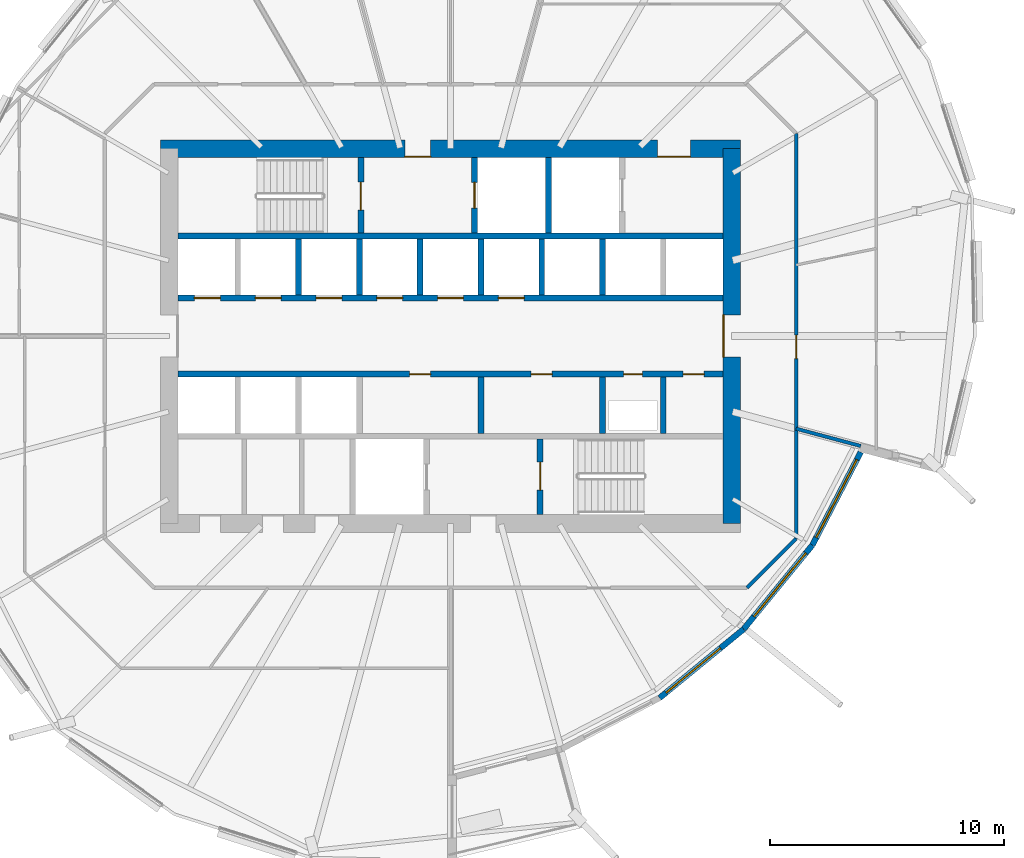
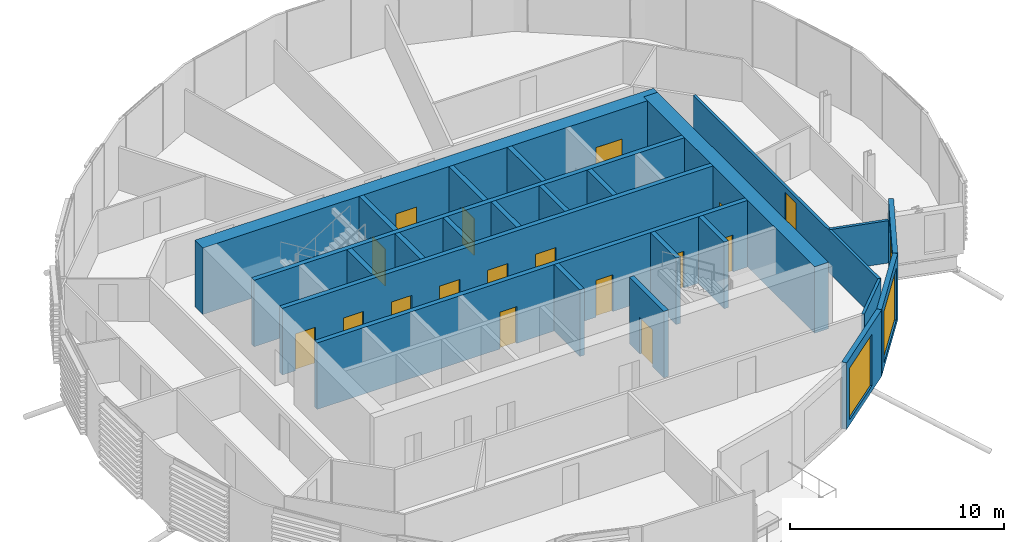
# One storey, part 26 of 43: 24 walls, 17 doors, 3 windows, 20 openings.
"""IFC4 building model written with IfcOpenShell, lengths in metres."""

from ifc_helpers import new_model, si_unit, direction, frame, frame_2d, origin, place, context, subcontext, project, spatial, rectangle, extrude, material, layer, layer_set, type_object, element, fill, save


model = new_model("IFC4")

# Units and contexts
model_context = context("Model", 3, precision=1e-05, world=origin(), true_north=direction((0.0, 1.0)))
body_context = subcontext(model_context, "Body", "Model", "MODEL_VIEW")
ifc_project = project(units=[si_unit("LENGTHUNIT", "METRE"), si_unit("AREAUNIT", "SQUARE_METRE"), si_unit("VOLUMEUNIT", "CUBIC_METRE"), si_unit("PLANEANGLEUNIT", "RADIAN"), si_unit("MASSUNIT", "GRAM", prefix="KILO")], contexts=[model_context])

# Site, building, storey
site_placement = place(None, origin())
site = spatial("IfcSite", under=ifc_project, at=site_placement, CompositionType="ELEMENT")
building_placement = place(site_placement, origin())
building = spatial("IfcBuilding", under=site, at=building_placement, Name="Rimbun Link Towers", CompositionType="ELEMENT")
storey_placement = place(building_placement, frame((0.0, 0.0, 81.60009765625)))
storey = spatial("IfcBuildingStorey", under=building, at=storey_placement, Name="L19", CompositionType="ELEMENT", Elevation=81.60009765625)

# Wall, opening, window
ifc_material_1 = material(Name="Dark enamelled glass spandrel on insulated aluminium backpan", Category="aluminium")
ifc_layer_1 = layer(ifc_material_1, 0.25)
ifc_layer_set_1 = layer_set([ifc_layer_1], Name="CS dark enamelled spandrel wall 250")
wall_type_1 = type_object("IfcWallType", Name="CS dark enamelled spandrel wall 250", PredefinedType="STANDARD", material=ifc_layer_set_1)
wall_1_placement = place(storey_placement, frame((44.259765625, -12.509765625, 0.0), z_axis=(0.0, 0.0, 1.0), x_axis=(-0.773910332823, -0.633295189268, 0.0)))
wall_1 = element("IfcWall", 1, at=wall_1_placement, inside=storey, type_object=wall_type_1, Name="Crease spandrel wall", PredefinedType="STANDARD", context=body_context, shape_type="SweptSolid", body=[
    extrude(rectangle(XDim=4.63232421875, YDim=0.25, at=frame_2d((2.316162109375, 0.0))), origin(), (0.0, 0.0, 1.0), 3.7998046875),
])
opening_1_placement = place(wall_1_placement, frame((1.277099609375, 0.0, 0.300048828125)))
opening_1 = element("IfcOpeningElement", 2, at=opening_1_placement, cuts=wall_1, Name="Opening WR30H295", PredefinedType="OPENING", context=body_context, shape_type="SweptSolid", body=[
    extrude(rectangle(XDim=3.0, YDim=2.949951171875, at=frame_2d((1.5, 1.47509765625))), frame((0.0, 0.135009765625, 0.0), z_axis=(0.0, -1.0, 0.0), x_axis=(1.0, 0.0, 0.0)), (0.0, 0.0, 1.0), 0.27001953125),
])
ifc_material_2 = material(Name="Aluminium framed fixed window, dark tinted low-e glass", Category="aluminium")
window_type_1 = type_object("IfcWindowType", Name="WR ribbon window 3000X2950", PartitioningType="SINGLE_PANEL", PredefinedType="WINDOW", material=ifc_material_2)
window_1_placement = place(opening_1_placement, origin())
window_1 = element("IfcWindow", 3, at=window_1_placement, inside=storey, type_object=window_type_1, Name="Crease ribbon window", OverallHeight=2.949951171875, OverallWidth=3.0, PartitioningType="SINGLE_PANEL", PredefinedType="WINDOW", context=body_context, shape_type="SweptSolid", body=[
    extrude(rectangle(XDim=3.0, YDim=2.949951171875, at=frame_2d((1.5, 1.47509765625))), frame((0.0, 0.030029296875, 0.0), z_axis=(0.0, -1.0, 0.0), x_axis=(1.0, 0.0, 0.0)), (0.0, 0.0, 1.0), 0.06005859375),
])
fill(opening_1, window_1)

wall_2_placement = place(storey_placement, frame((47.193359375, -8.9248046875, 0.0), z_axis=(0.0, 0.0, 1.0), x_axis=(-0.633295189268, -0.773910332823, 0.0)))
wall_2 = element("IfcWall", 4, at=wall_2_placement, inside=storey, type_object=wall_type_1, Name="Crease spandrel wall", PredefinedType="STANDARD", context=body_context, shape_type="SweptSolid", body=[
    extrude(rectangle(XDim=4.63232421875, YDim=0.25, at=frame_2d((2.316162109375, 0.0))), origin(), (0.0, 0.0, 1.0), 3.7998046875),
])
opening_2_placement = place(wall_2_placement, frame((0.434814453125, 0.0, 0.300048828125)))
opening_2 = element("IfcOpeningElement", 5, at=opening_2_placement, cuts=wall_2, Name="Opening WR35H295", PredefinedType="OPENING", context=body_context, shape_type="SweptSolid", body=[
    extrude(rectangle(XDim=3.5, YDim=2.949951171875, at=frame_2d((1.75, 1.47509765625))), frame((0.0, 0.135009765625, 0.0), z_axis=(0.0, -1.0, 0.0), x_axis=(1.0, 0.0, 0.0)), (0.0, 0.0, 1.0), 0.27001953125),
])
ifc_material_3 = material(Name="Aluminium framed fixed window, dark tinted low-e glass", Category="aluminium")
window_type_2 = type_object("IfcWindowType", Name="WR ribbon window 3500X2950", PartitioningType="SINGLE_PANEL", PredefinedType="WINDOW", material=ifc_material_3)
window_2_placement = place(opening_2_placement, origin())
window_2 = element("IfcWindow", 6, at=window_2_placement, inside=storey, type_object=window_type_2, Name="Crease ribbon window", OverallHeight=2.949951171875, OverallWidth=3.5, PartitioningType="SINGLE_PANEL", PredefinedType="WINDOW", context=body_context, shape_type="SweptSolid", body=[
    extrude(rectangle(XDim=3.5, YDim=2.949951171875, at=frame_2d((1.75, 1.47509765625))), frame((0.0, 0.030029296875, 0.0), z_axis=(0.0, -1.0, 0.0), x_axis=(1.0, 0.0, 0.0)), (0.0, 0.0, 1.0), 0.06005859375),
])
fill(opening_2, window_2)

wall_3_placement = place(storey_placement, frame((49.26171875, -4.951171875, 0.0), z_axis=(0.0, 0.0, 1.0), x_axis=(-0.461716482869, -0.887027558448, 0.0)))
wall_3 = element("IfcWall", 7, at=wall_3_placement, inside=storey, type_object=wall_type_1, Name="Crease spandrel wall", PredefinedType="STANDARD", context=body_context, shape_type="SweptSolid", body=[
    extrude(rectangle(XDim=4.479736328125, YDim=0.25, at=frame_2d((2.23974609375, 0.0))), origin(), (0.0, 0.0, 1.0), 3.7998046875),
])
opening_3_placement = place(wall_3_placement, frame((0.364990234375, 0.0, 0.300048828125)))
opening_3 = element("IfcOpeningElement", 8, at=opening_3_placement, cuts=wall_3, Name="Opening WR38H295", PredefinedType="OPENING", context=body_context, shape_type="SweptSolid", body=[
    extrude(rectangle(XDim=3.75, YDim=2.949951171875, at=frame_2d((1.875, 1.47509765625))), frame((0.0, 0.135009765625, 0.0), z_axis=(0.0, -1.0, 0.0), x_axis=(1.0, 0.0, 0.0)), (0.0, 0.0, 1.0), 0.27001953125),
])
ifc_material_4 = material(Name="Aluminium framed fixed window, dark tinted low-e glass", Category="aluminium")
window_type_3 = type_object("IfcWindowType", Name="WR ribbon window 3750X2950", PartitioningType="SINGLE_PANEL", PredefinedType="WINDOW", material=ifc_material_4)
window_3_placement = place(opening_3_placement, origin())
window_3 = element("IfcWindow", 9, at=window_3_placement, inside=storey, type_object=window_type_3, Name="Crease ribbon window", OverallHeight=2.949951171875, OverallWidth=3.75, PartitioningType="SINGLE_PANEL", PredefinedType="WINDOW", context=body_context, shape_type="SweptSolid", body=[
    extrude(rectangle(XDim=3.75, YDim=2.949951171875, at=frame_2d((1.875, 1.47509765625))), frame((0.0, 0.030029296875, 0.0), z_axis=(0.0, -1.0, 0.0), x_axis=(1.0, 0.0, 0.0)), (0.0, 0.0, 1.0), 0.06005859375),
])
fill(opening_3, window_3)

# Wall, openings, doors
ifc_material_5 = material(Name="Concrete C60/75", Category="concrete")
ifc_layer_2 = layer(ifc_material_5, 0.75)
ifc_layer_set_2 = layer_set([ifc_layer_2], Name="Core shear wall 750")
wall_type_2 = type_object("IfcWallType", Name="Core shear wall 750", PredefinedType="SHEAR", material=ifc_layer_set_2)
wall_4_placement = place(storey_placement, frame((19.375, 8.0, 0.0), z_axis=(0.0, 0.0, 1.0), x_axis=(1.0, 0.0, 0.0)))
wall_4 = element("IfcWall", 10, at=wall_4_placement, inside=storey, type_object=wall_type_2, Name="L19 T2 core wall N", PredefinedType="SHEAR", context=body_context, shape_type="SweptSolid", body=[
    extrude(rectangle(XDim=24.75, YDim=0.75, at=frame_2d((12.375, 0.0))), origin(), (0.0, 0.0, 1.0), 3.7998046875),
])
opening_4_placement = place(wall_4_placement, frame((10.425048828125, 0.0, 0.0)))
opening_4 = element("IfcOpeningElement", 11, at=opening_4_placement, cuts=wall_4, Name="Opening C2DCF01N", PredefinedType="OPENING", context=body_context, shape_type="SweptSolid", body=[
    extrude(rectangle(XDim=1.10009765625, YDim=2.10009765625, at=frame_2d((0.550048828125, 1.050048828125))), frame((0.0, 0.385009765625, 0.0), z_axis=(0.0, -1.0, 0.0), x_axis=(1.0, 0.0, 0.0)), (0.0, 0.0, 1.0), 0.77001953125),
])
opening_5_placement = place(wall_4_placement, frame((21.21240234375, 0.0, 0.0)))
opening_5 = element("IfcOpeningElement", 12, at=opening_5_placement, cuts=wall_4, Name="Opening C2DSL02N", PredefinedType="OPENING", context=body_context, shape_type="SweptSolid", body=[
    extrude(rectangle(XDim=1.39990234375, YDim=2.10009765625, at=frame_2d((0.699951171875, 1.050048828125))), frame((0.0, 0.385009765625, 0.0), z_axis=(0.0, -1.0, 0.0), x_axis=(1.0, 0.0, 0.0)), (0.0, 0.0, 1.0), 0.77001953125),
])
ifc_material_6 = material(Name="Steel fire door set", Category="steel")
door_type_1 = type_object("IfcDoorType", Name="Core fire door single", OperationType="SINGLE_SWING_LEFT", PredefinedType="DOOR", material=ifc_material_6)
door_1_placement = place(opening_4_placement, origin())
door_1 = element("IfcDoor", 13, at=door_1_placement, inside=storey, type_object=door_type_1, Name="L19 T2 firefighting lobby n door", OperationType="SINGLE_SWING_LEFT", OverallHeight=2.10009765625, OverallWidth=1.10009765625, PredefinedType="DOOR", context=body_context, shape_type="SweptSolid", body=[
    extrude(rectangle(XDim=1.10009765625, YDim=2.10009765625, at=frame_2d((0.550048828125, 1.050048828125))), frame((0.0, -0.3251953125, 0.0), z_axis=(0.0, -1.0, 0.0), x_axis=(1.0, 0.0, 0.0)), (0.0, 0.0, 1.0), 0.050048828125),
])
fill(opening_4, door_1)
ifc_material_7 = material(Name="Steel fire door set", Category="steel")
door_type_2 = type_object("IfcDoorType", Name="Service lobby door double", OperationType="DOUBLE_DOOR_SINGLE_SWING", PredefinedType="DOOR", material=ifc_material_7)
door_2_placement = place(opening_5_placement, origin())
door_2 = element("IfcDoor", 14, at=door_2_placement, inside=storey, type_object=door_type_2, Name="L19 T2 service lobby door", OperationType="DOUBLE_DOOR_SINGLE_SWING", OverallHeight=2.10009765625, OverallWidth=1.39990234375, PredefinedType="DOOR", context=body_context, shape_type="SweptSolid", body=[
    extrude(rectangle(XDim=1.39990234375, YDim=2.10009765625, at=frame_2d((0.699951171875, 1.050048828125))), frame((0.0, -0.3251953125, 0.0), z_axis=(0.0, -1.0, 0.0), x_axis=(1.0, 0.0, 0.0)), (0.0, 0.0, 1.0), 0.050048828125),
])
fill(opening_5, door_2)

# Wall, opening, door
wall_5_placement = place(storey_placement, frame((43.75, -8.0, 0.0), z_axis=(0.0, 0.0, 1.0), x_axis=(0.0, 1.0, 0.0)))
wall_5 = element("IfcWall", 15, at=wall_5_placement, inside=storey, type_object=wall_type_2, Name="L19 T2 core wall E", PredefinedType="SHEAR", context=body_context, shape_type="SweptSolid", body=[
    extrude(rectangle(XDim=16.0, YDim=0.75, at=frame_2d((8.0, 0.0))), origin(), (0.0, 0.0, 1.0), 3.7998046875),
])
opening_6_placement = place(wall_5_placement, frame((7.10009765625, 0.0, 0.0)))
opening_6 = element("IfcOpeningElement", 16, at=opening_6_placement, cuts=wall_5, Name="Opening C2DCL01E", PredefinedType="OPENING", context=body_context, shape_type="SweptSolid", body=[
    extrude(rectangle(XDim=1.800048828125, YDim=2.10009765625, at=frame_2d((0.89990234375, 1.050048828125))), frame((0.0, 0.385009765625, 0.0), z_axis=(0.0, -1.0, 0.0), x_axis=(1.0, 0.0, 0.0)), (0.0, 0.0, 1.0), 0.77001953125),
])
ifc_material_8 = material(Name="Steel fire door set", Category="steel")
door_type_3 = type_object("IfcDoorType", Name="Core lobby door double", OperationType="DOUBLE_DOOR_SINGLE_SWING", PredefinedType="DOOR", material=ifc_material_8)
door_3_placement = place(opening_6_placement, origin())
door_3 = element("IfcDoor", 17, at=door_3_placement, inside=storey, type_object=door_type_3, Name="L19 T2 lift lobby door", OperationType="DOUBLE_DOOR_SINGLE_SWING", OverallHeight=2.10009765625, OverallWidth=1.800048828125, PredefinedType="DOOR", context=body_context, shape_type="SweptSolid", body=[
    extrude(rectangle(XDim=1.800048828125, YDim=2.10009765625, at=frame_2d((0.89990234375, 1.050048828125))), frame((0.0, 0.375, 0.0), z_axis=(0.0, -1.0, 0.0), x_axis=(1.0, 0.0, 0.0)), (0.0, 0.0, 1.0), 0.050048828125),
])
fill(opening_6, door_3)

ifc_material_9 = material(Name="Plasterboard on steel stud, mineral wool", Category="steel")
ifc_layer_3 = layer(ifc_material_9, 0.14990234375)
ifc_layer_set_3 = layer_set([ifc_layer_3], Name="Corridor wall EI 30 150 mm")
wall_type_3 = type_object("IfcWallType", Name="Corridor wall EI 30 150 mm", PredefinedType="PARTITIONING", material=ifc_layer_set_3)
wall_6_placement = place(storey_placement, frame((46.5, 8.651611328125, 0.0), z_axis=(0.0, 0.0, 1.0), x_axis=(0.0, -1.0, 0.0)))
wall_6 = element("IfcWall", 18, at=wall_6_placement, inside=storey, type_object=wall_type_3, Name="Corridor wall EI 30 150 mm", PredefinedType="PARTITIONING", context=body_context, shape_type="SweptSolid", body=[
    extrude(rectangle(XDim=17.30322265625, YDim=0.14990234375, at=frame_2d((8.651611328125, 0.0))), origin(), (0.0, 0.0, 1.0), 2.419921875),
])
opening_7_placement = place(wall_6_placement, frame((8.611328125, 0.0, 0.0)))
opening_7 = element("IfcOpeningElement", 19, at=opening_7_placement, cuts=wall_6, Name="Opening D01", PredefinedType="OPENING", context=body_context, shape_type="SweptSolid", body=[
    extrude(rectangle(XDim=1.0, YDim=2.10009765625, at=frame_2d((0.5, 1.050048828125))), frame((0.0, 0.0849609375, 0.0), z_axis=(0.0, -1.0, 0.0), x_axis=(1.0, 0.0, 0.0)), (0.0, 0.0, 1.0), 0.169921875),
])
ifc_material_10 = material(Name="Fire-resisting timber door leaf", Category="wood")
door_type_4 = type_object("IfcDoorType", Name="Fire door FD30S 1000", OperationType="NOTDEFINED", PredefinedType="DOOR", material=ifc_material_10)
door_4_placement = place(opening_7_placement, origin())
door_4 = element("IfcDoor", 20, at=door_4_placement, inside=storey, type_object=door_type_4, Name="Fire door FD30S 1000 to Reception", OperationType="SINGLE_SWING_LEFT", OverallHeight=2.10009765625, OverallWidth=1.0, PredefinedType="DOOR", context=body_context, shape_type="SweptSolid", body=[
    extrude(rectangle(XDim=1.0, YDim=2.10009765625, at=frame_2d((0.5, 1.050048828125))), frame((0.0, 0.02490234375, 0.0), z_axis=(0.0, -1.0, 0.0), x_axis=(1.0, 0.0, 0.0)), (0.0, 0.0, 1.0), 0.050048828125),
])
fill(opening_7, door_4)

# Walls
wall_7_placement = place(storey_placement, frame((44.401611328125, -10.75, 0.0), z_axis=(0.0, 0.0, 1.0), x_axis=(0.707106781187, 0.707106781187, 0.0)))
element("IfcWall", 21, at=wall_7_placement, inside=storey, type_object=wall_type_3, Name="Corridor wall EI 30 150 mm", PredefinedType="PARTITIONING", context=body_context, shape_type="SweptSolid", body=[
    extrude(rectangle(XDim=2.967529296875, YDim=0.14990234375, at=frame_2d((1.48388671875, 0.0))), origin(), (0.0, 0.0, 1.0), 2.419921875),
])
ifc_material_11 = material(Name="Concrete C60/75", Category="concrete")
ifc_layer_4 = layer(ifc_material_11, 0.25)
ifc_layer_set_4 = layer_set([ifc_layer_4], Name="Shaft wall 250")
wall_type_4 = type_object("IfcWallType", Name="Shaft wall 250", PredefinedType="SHEAR", material=ifc_layer_set_4)
wall_8_placement = place(storey_placement, frame((20.125, 4.27490234375, 0.0), z_axis=(0.0, 0.0, 1.0), x_axis=(1.0, 0.0, 0.0)))
element("IfcWall", 22, at=wall_8_placement, inside=storey, type_object=wall_type_4, Name="L19 T2 core wall BN", PredefinedType="SHEAR", context=body_context, shape_type="SweptSolid", body=[
    extrude(rectangle(XDim=23.25, YDim=0.25, at=frame_2d((11.625, 0.0))), origin(), (0.0, 0.0, 1.0), 3.7998046875),
])

# Wall, openings, doors
wall_9_placement = place(storey_placement, frame((20.125, 1.625, 0.0), z_axis=(0.0, 0.0, 1.0), x_axis=(1.0, 0.0, 0.0)))
wall_9 = element("IfcWall", 23, at=wall_9_placement, inside=storey, type_object=wall_type_4, Name="L19 T2 core wall FN", PredefinedType="SHEAR", context=body_context, shape_type="SweptSolid", body=[
    extrude(rectangle(XDim=23.25, YDim=0.25, at=frame_2d((11.625, 0.0))), origin(), (0.0, 0.0, 1.0), 3.7998046875),
])
opening_8_placement = place(wall_9_placement, frame((0.697265625, 0.0, 0.0)))
opening_8 = element("IfcOpeningElement", 24, at=opening_8_placement, cuts=wall_9, Name="Opening LD-T2-LR1", PredefinedType="OPENING", context=body_context, shape_type="SweptSolid", body=[
    extrude(rectangle(XDim=1.10009765625, YDim=2.10009765625, at=frame_2d((0.550048828125, 1.050048828125))), frame((0.0, 0.135009765625, 0.0), z_axis=(0.0, -1.0, 0.0), x_axis=(1.0, 0.0, 0.0)), (0.0, 0.0, 1.0), 0.27001953125),
])
opening_9_placement = place(wall_9_placement, frame((3.291748046875, 0.0, 0.0)))
opening_9 = element("IfcOpeningElement", 25, at=opening_9_placement, cuts=wall_9, Name="Opening LD-T2-LR2", PredefinedType="OPENING", context=body_context, shape_type="SweptSolid", body=[
    extrude(rectangle(XDim=1.10009765625, YDim=2.10009765625, at=frame_2d((0.550048828125, 1.050048828125))), frame((0.0, 0.135009765625, 0.0), z_axis=(0.0, -1.0, 0.0), x_axis=(1.0, 0.0, 0.0)), (0.0, 0.0, 1.0), 0.27001953125),
])
opening_10_placement = place(wall_9_placement, frame((5.885986328125, 0.0, 0.0)))
opening_10 = element("IfcOpeningElement", 26, at=opening_10_placement, cuts=wall_9, Name="Opening LD-T2-LR3", PredefinedType="OPENING", context=body_context, shape_type="SweptSolid", body=[
    extrude(rectangle(XDim=1.10009765625, YDim=2.10009765625, at=frame_2d((0.550048828125, 1.050048828125))), frame((0.0, 0.135009765625, 0.0), z_axis=(0.0, -1.0, 0.0), x_axis=(1.0, 0.0, 0.0)), (0.0, 0.0, 1.0), 0.27001953125),
])
opening_11_placement = place(wall_9_placement, frame((8.480712890625, 0.0, 0.0)))
opening_11 = element("IfcOpeningElement", 27, at=opening_11_placement, cuts=wall_9, Name="Opening LD-T2-LR4", PredefinedType="OPENING", context=body_context, shape_type="SweptSolid", body=[
    extrude(rectangle(XDim=1.10009765625, YDim=2.10009765625, at=frame_2d((0.550048828125, 1.050048828125))), frame((0.0, 0.135009765625, 0.0), z_axis=(0.0, -1.0, 0.0), x_axis=(1.0, 0.0, 0.0)), (0.0, 0.0, 1.0), 0.27001953125),
])
opening_12_placement = place(wall_9_placement, frame((11.074951171875, 0.0, 0.0)))
opening_12 = element("IfcOpeningElement", 28, at=opening_12_placement, cuts=wall_9, Name="Opening LD-T2-LR5", PredefinedType="OPENING", context=body_context, shape_type="SweptSolid", body=[
    extrude(rectangle(XDim=1.10009765625, YDim=2.10009765625, at=frame_2d((0.550048828125, 1.050048828125))), frame((0.0, 0.135009765625, 0.0), z_axis=(0.0, -1.0, 0.0), x_axis=(1.0, 0.0, 0.0)), (0.0, 0.0, 1.0), 0.27001953125),
])
opening_13_placement = place(wall_9_placement, frame((13.66943359375, 0.0, 0.0)))
opening_13 = element("IfcOpeningElement", 29, at=opening_13_placement, cuts=wall_9, Name="Opening LD-T2-LR6", PredefinedType="OPENING", context=body_context, shape_type="SweptSolid", body=[
    extrude(rectangle(XDim=1.10009765625, YDim=2.10009765625, at=frame_2d((0.550048828125, 1.050048828125))), frame((0.0, 0.135009765625, 0.0), z_axis=(0.0, -1.0, 0.0), x_axis=(1.0, 0.0, 0.0)), (0.0, 0.0, 1.0), 0.27001953125),
])
ifc_material_12 = material(Name="Stainless steel grade 316", Category="steel")
door_type_5 = type_object("IfcDoorType", Name="Lift landing door", OperationType="DOUBLE_DOOR_SLIDING", PredefinedType="DOOR", material=ifc_material_12)
door_5_placement = place(opening_8_placement, origin())
door_5 = element("IfcDoor", 30, at=door_5_placement, inside=storey, type_object=door_type_5, Name="L19 T2 lift LR1 landing door", OperationType="DOUBLE_DOOR_SLIDING", OverallHeight=2.10009765625, OverallWidth=1.10009765625, PredefinedType="DOOR", context=body_context, shape_type="SweptSolid", body=[
    extrude(rectangle(XDim=1.10009765625, YDim=2.10009765625, at=frame_2d((0.550048828125, 1.050048828125))), frame((0.0, 0.02490234375, 0.0), z_axis=(0.0, -1.0, 0.0), x_axis=(1.0, 0.0, 0.0)), (0.0, 0.0, 1.0), 0.050048828125),
])
fill(opening_8, door_5)
door_6_placement = place(opening_9_placement, origin())
door_6 = element("IfcDoor", 31, at=door_6_placement, inside=storey, type_object=door_type_5, Name="L19 T2 lift LR2 landing door", OperationType="DOUBLE_DOOR_SLIDING", OverallHeight=2.10009765625, OverallWidth=1.10009765625, PredefinedType="DOOR", context=body_context, shape_type="SweptSolid", body=[
    extrude(rectangle(XDim=1.10009765625, YDim=2.10009765625, at=frame_2d((0.550048828125, 1.050048828125))), frame((0.0, 0.02490234375, 0.0), z_axis=(0.0, -1.0, 0.0), x_axis=(1.0, 0.0, 0.0)), (0.0, 0.0, 1.0), 0.050048828125),
])
fill(opening_9, door_6)
door_7_placement = place(opening_10_placement, origin())
door_7 = element("IfcDoor", 32, at=door_7_placement, inside=storey, type_object=door_type_5, Name="L19 T2 lift LR3 landing door", OperationType="DOUBLE_DOOR_SLIDING", OverallHeight=2.10009765625, OverallWidth=1.10009765625, PredefinedType="DOOR", context=body_context, shape_type="SweptSolid", body=[
    extrude(rectangle(XDim=1.10009765625, YDim=2.10009765625, at=frame_2d((0.550048828125, 1.050048828125))), frame((0.0, 0.02490234375, 0.0), z_axis=(0.0, -1.0, 0.0), x_axis=(1.0, 0.0, 0.0)), (0.0, 0.0, 1.0), 0.050048828125),
])
fill(opening_10, door_7)
door_8_placement = place(opening_11_placement, origin())
door_8 = element("IfcDoor", 33, at=door_8_placement, inside=storey, type_object=door_type_5, Name="L19 T2 lift LR4 landing door", OperationType="DOUBLE_DOOR_SLIDING", OverallHeight=2.10009765625, OverallWidth=1.10009765625, PredefinedType="DOOR", context=body_context, shape_type="SweptSolid", body=[
    extrude(rectangle(XDim=1.10009765625, YDim=2.10009765625, at=frame_2d((0.550048828125, 1.050048828125))), frame((0.0, 0.02490234375, 0.0), z_axis=(0.0, -1.0, 0.0), x_axis=(1.0, 0.0, 0.0)), (0.0, 0.0, 1.0), 0.050048828125),
])
fill(opening_11, door_8)
door_9_placement = place(opening_12_placement, origin())
door_9 = element("IfcDoor", 34, at=door_9_placement, inside=storey, type_object=door_type_5, Name="L19 T2 lift LR5 landing door", OperationType="DOUBLE_DOOR_SLIDING", OverallHeight=2.10009765625, OverallWidth=1.10009765625, PredefinedType="DOOR", context=body_context, shape_type="SweptSolid", body=[
    extrude(rectangle(XDim=1.10009765625, YDim=2.10009765625, at=frame_2d((0.550048828125, 1.050048828125))), frame((0.0, 0.02490234375, 0.0), z_axis=(0.0, -1.0, 0.0), x_axis=(1.0, 0.0, 0.0)), (0.0, 0.0, 1.0), 0.050048828125),
])
fill(opening_12, door_9)
door_10_placement = place(opening_13_placement, origin())
door_10 = element("IfcDoor", 35, at=door_10_placement, inside=storey, type_object=door_type_5, Name="L19 T2 lift LR6 landing door", OperationType="DOUBLE_DOOR_SLIDING", OverallHeight=2.10009765625, OverallWidth=1.10009765625, PredefinedType="DOOR", context=body_context, shape_type="SweptSolid", body=[
    extrude(rectangle(XDim=1.10009765625, YDim=2.10009765625, at=frame_2d((0.550048828125, 1.050048828125))), frame((0.0, 0.02490234375, 0.0), z_axis=(0.0, -1.0, 0.0), x_axis=(1.0, 0.0, 0.0)), (0.0, 0.0, 1.0), 0.050048828125),
])
fill(opening_13, door_10)

wall_10_placement = place(storey_placement, frame((20.125, -1.625, 0.0), z_axis=(0.0, 0.0, 1.0), x_axis=(1.0, 0.0, 0.0)))
wall_10 = element("IfcWall", 36, at=wall_10_placement, inside=storey, type_object=wall_type_4, Name="L19 T2 core wall FS", PredefinedType="SHEAR", context=body_context, shape_type="SweptSolid", body=[
    extrude(rectangle(XDim=23.25, YDim=0.25, at=frame_2d((11.625, 0.0))), origin(), (0.0, 0.0, 1.0), 3.7998046875),
])
opening_14_placement = place(wall_10_placement, frame((9.877685546875, 0.0, 0.0)))
opening_14 = element("IfcOpeningElement", 37, at=opening_14_placement, cuts=wall_10, Name="Opening C2DRS01FS", PredefinedType="OPENING", context=body_context, shape_type="SweptSolid", body=[
    extrude(rectangle(XDim=0.89990234375, YDim=2.10009765625, at=frame_2d((0.449951171875, 1.050048828125))), frame((0.0, 0.135009765625, 0.0), z_axis=(0.0, -1.0, 0.0), x_axis=(1.0, 0.0, 0.0)), (0.0, 0.0, 1.0), 0.27001953125),
])
opening_15_placement = place(wall_10_placement, frame((15.066650390625, 0.0, 0.0)))
opening_15 = element("IfcOpeningElement", 38, at=opening_15_placement, cuts=wall_10, Name="Opening C2DRS02FS", PredefinedType="OPENING", context=body_context, shape_type="SweptSolid", body=[
    extrude(rectangle(XDim=0.89990234375, YDim=2.10009765625, at=frame_2d((0.449951171875, 1.050048828125))), frame((0.0, 0.135009765625, 0.0), z_axis=(0.0, -1.0, 0.0), x_axis=(1.0, 0.0, 0.0)), (0.0, 0.0, 1.0), 0.27001953125),
])
opening_16_placement = place(wall_10_placement, frame((19.00830078125, 0.0, 0.0)))
opening_16 = element("IfcOpeningElement", 39, at=opening_16_placement, cuts=wall_10, Name="Opening C2DRA03FS", PredefinedType="OPENING", context=body_context, shape_type="SweptSolid", body=[
    extrude(rectangle(XDim=0.800048828125, YDim=2.10009765625, at=frame_2d((0.39990234375, 1.050048828125))), frame((0.0, 0.135009765625, 0.0), z_axis=(0.0, -1.0, 0.0), x_axis=(1.0, 0.0, 0.0)), (0.0, 0.0, 1.0), 0.27001953125),
])
opening_17_placement = place(wall_10_placement, frame((21.552734375, 0.0, 0.0)))
opening_17 = element("IfcOpeningElement", 40, at=opening_17_placement, cuts=wall_10, Name="Opening C2DRS04FS", PredefinedType="OPENING", context=body_context, shape_type="SweptSolid", body=[
    extrude(rectangle(XDim=0.89990234375, YDim=2.10009765625, at=frame_2d((0.449951171875, 1.050048828125))), frame((0.0, 0.135009765625, 0.0), z_axis=(0.0, -1.0, 0.0), x_axis=(1.0, 0.0, 0.0)), (0.0, 0.0, 1.0), 0.27001953125),
])
ifc_material_13 = material(Name="Steel fire door set", Category="steel")
door_type_6 = type_object("IfcDoorType", Name="Core riser door", OperationType="SINGLE_SWING_LEFT", PredefinedType="DOOR", material=ifc_material_13)
door_11_placement = place(opening_14_placement, origin())
door_11 = element("IfcDoor", 41, at=door_11_placement, inside=storey, type_object=door_type_6, Name="L19 T2 archive store door", OperationType="SINGLE_SWING_LEFT", OverallHeight=2.10009765625, OverallWidth=0.89990234375, PredefinedType="DOOR", context=body_context, shape_type="SweptSolid", body=[
    extrude(rectangle(XDim=0.89990234375, YDim=2.10009765625, at=frame_2d((0.449951171875, 1.050048828125))), frame((0.0, 0.02490234375, 0.0), z_axis=(0.0, -1.0, 0.0), x_axis=(1.0, 0.0, 0.0)), (0.0, 0.0, 1.0), 0.050048828125),
])
fill(opening_14, door_11)
door_12_placement = place(opening_15_placement, origin())
door_12 = element("IfcDoor", 42, at=door_12_placement, inside=storey, type_object=door_type_6, Name="L19 T2 pantry door", OperationType="SINGLE_SWING_LEFT", OverallHeight=2.10009765625, OverallWidth=0.89990234375, PredefinedType="DOOR", context=body_context, shape_type="SweptSolid", body=[
    extrude(rectangle(XDim=0.89990234375, YDim=2.10009765625, at=frame_2d((0.449951171875, 1.050048828125))), frame((0.0, 0.02490234375, 0.0), z_axis=(0.0, -1.0, 0.0), x_axis=(1.0, 0.0, 0.0)), (0.0, 0.0, 1.0), 0.050048828125),
])
fill(opening_15, door_12)
door_13_placement = place(opening_17_placement, origin())
door_13 = element("IfcDoor", 43, at=door_13_placement, inside=storey, type_object=door_type_6, Name="L19 T2 staff store door", OperationType="SINGLE_SWING_LEFT", OverallHeight=2.10009765625, OverallWidth=0.89990234375, PredefinedType="DOOR", context=body_context, shape_type="SweptSolid", body=[
    extrude(rectangle(XDim=0.89990234375, YDim=2.10009765625, at=frame_2d((0.449951171875, 1.050048828125))), frame((0.0, 0.02490234375, 0.0), z_axis=(0.0, -1.0, 0.0), x_axis=(1.0, 0.0, 0.0)), (0.0, 0.0, 1.0), 0.050048828125),
])
fill(opening_17, door_13)
ifc_material_14 = material(Name="Steel fire door set", Category="steel")
door_type_7 = type_object("IfcDoorType", Name="Riser access door 800 x 2100", OperationType="SINGLE_SWING_LEFT", PredefinedType="DOOR", material=ifc_material_14)
door_14_placement = place(opening_16_placement, origin())
door_14 = element("IfcDoor", 44, at=door_14_placement, inside=storey, type_object=door_type_7, Name="L19 T2 riser cupboard door", OperationType="SINGLE_SWING_RIGHT", OverallHeight=2.10009765625, OverallWidth=0.800048828125, PredefinedType="DOOR", context=body_context, shape_type="SweptSolid", body=[
    extrude(rectangle(XDim=0.800048828125, YDim=2.10009765625, at=frame_2d((0.39990234375, 1.050048828125))), frame((0.0, 0.02490234375, 0.0), z_axis=(0.0, -1.0, 0.0), x_axis=(1.0, 0.0, 0.0)), (0.0, 0.0, 1.0), 0.050048828125),
])
fill(opening_16, door_14)

# Walls
for number, where, z_axis, x_axis, name in (
    (45, (25.263916015625, 1.75, 0.0), (0.0, 0.0, 1.0), (0.0, 1.0, 0.0), "L19 T2 core wall DN1"),
    (46, (27.8583984375, 1.75, 0.0), (0.0, 0.0, 1.0), (0.0, 1.0, 0.0), "L19 T2 core wall DN2"),
    (47, (30.452880859375, 1.75, 0.0), (0.0, 0.0, 1.0), (0.0, 1.0, 0.0), "L19 T2 core wall DN3"),
    (48, (33.047119140625, 1.75, 0.0), (0.0, 0.0, 1.0), (0.0, 1.0, 0.0), "L19 T2 core wall DN4"),
    (49, (35.6416015625, 1.75, 0.0), (0.0, 0.0, 1.0), (0.0, 1.0, 0.0), "L19 T2 core wall DN5"),
    (50, (38.236083984375, 1.75, 0.0), (0.0, 0.0, 1.0), (0.0, 1.0, 0.0), "L19 T2 core wall DN6"),
    (51, (33.047119140625, -4.14990234375, 0.0), (0.0, 0.0, 1.0), (0.0, 1.0, 0.0), "L19 T2 core wall DS4"),
    (52, (38.236083984375, -4.14990234375, 0.0), (0.0, 0.0, 1.0), (0.0, 1.0, 0.0), "L19 T2 core wall DS6"),
    (53, (40.83056640625, -4.14990234375, 0.0), (0.0, 0.0, 1.0), (0.0, 1.0, 0.0), "L19 T2 core wall DS7"),
):
    element("IfcWall", number, at=place(storey_placement, frame(where, z_axis=z_axis, x_axis=x_axis)), inside=storey, type_object=wall_type_4, Name=name, PredefinedType="SHEAR", context=body_context, shape_type="SweptSolid", body=[
        extrude(rectangle(XDim=2.39990234375, YDim=0.25, at=frame_2d((1.199951171875, 0.0))), origin(), (0.0, 0.0, 1.0), 3.7998046875),
    ])

# Wall, opening, door
wall_11_placement = place(storey_placement, frame((27.925048828125, 4.39990234375, 0.0), z_axis=(0.0, 0.0, 1.0), x_axis=(0.0, 1.0, 0.0)))
wall_11 = element("IfcWall", 54, at=wall_11_placement, inside=storey, type_object=wall_type_4, Name="L19 T2 core wall A1", PredefinedType="SHEAR", context=body_context, shape_type="SweptSolid", body=[
    extrude(rectangle(XDim=3.22509765625, YDim=0.25, at=frame_2d((1.612548828125, 0.0))), origin(), (0.0, 0.0, 1.0), 3.7998046875),
])
opening_18_placement = place(wall_11_placement, frame((0.97509765625, 0.0, 0.0)))
opening_18 = element("IfcOpeningElement", 55, at=opening_18_placement, cuts=wall_11, Name="Opening C2DST01A1", PredefinedType="OPENING", context=body_context, shape_type="SweptSolid", body=[
    extrude(rectangle(XDim=1.199951171875, YDim=2.10009765625, at=frame_2d((0.60009765625, 1.050048828125))), frame((0.0, 0.135009765625, 0.0), z_axis=(0.0, -1.0, 0.0), x_axis=(1.0, 0.0, 0.0)), (0.0, 0.0, 1.0), 0.27001953125),
])
ifc_material_15 = material(Name="Steel fire door set", Category="steel")
door_type_8 = type_object("IfcDoorType", Name="Stair door", OperationType="SINGLE_SWING_LEFT", PredefinedType="DOOR", material=ifc_material_15)
door_15_placement = place(opening_18_placement, origin())
door_15 = element("IfcDoor", 56, at=door_15_placement, inside=storey, type_object=door_type_8, Name="L19 T2 stair a door", OperationType="SINGLE_SWING_RIGHT", OverallHeight=2.10009765625, OverallWidth=1.199951171875, PredefinedType="DOOR", context=body_context, shape_type="SweptSolid", body=[
    extrude(rectangle(XDim=1.199951171875, YDim=2.10009765625, at=frame_2d((0.60009765625, 1.050048828125))), frame((0.0, 0.02490234375, 0.0), z_axis=(0.0, -1.0, 0.0), x_axis=(1.0, 0.0, 0.0)), (0.0, 0.0, 1.0), 0.050048828125),
])
fill(opening_18, door_15)

wall_12_placement = place(storey_placement, frame((32.77490234375, 4.39990234375, 0.0), z_axis=(0.0, 0.0, 1.0), x_axis=(0.0, 1.0, 0.0)))
wall_12 = element("IfcWall", 57, at=wall_12_placement, inside=storey, type_object=wall_type_4, Name="L19 T2 core wall A2", PredefinedType="SHEAR", context=body_context, shape_type="SweptSolid", body=[
    extrude(rectangle(XDim=3.22509765625, YDim=0.25, at=frame_2d((1.612548828125, 0.0))), origin(), (0.0, 0.0, 1.0), 3.7998046875),
])
opening_19_placement = place(wall_12_placement, frame((1.0625, 0.0, 0.0)))
opening_19 = element("IfcOpeningElement", 58, at=opening_19_placement, cuts=wall_12, Name="Opening LD-T2-FF1", PredefinedType="OPENING", context=body_context, shape_type="SweptSolid", body=[
    extrude(rectangle(XDim=1.10009765625, YDim=2.10009765625, at=frame_2d((0.550048828125, 1.050048828125))), frame((0.0, 0.135009765625, 0.0), z_axis=(0.0, -1.0, 0.0), x_axis=(1.0, 0.0, 0.0)), (0.0, 0.0, 1.0), 0.27001953125),
])
door_16_placement = place(opening_19_placement, origin())
door_16 = element("IfcDoor", 59, at=door_16_placement, inside=storey, type_object=door_type_5, Name="L19 T2 lift FF1 landing door", OperationType="DOUBLE_DOOR_SLIDING", OverallHeight=2.10009765625, OverallWidth=1.10009765625, PredefinedType="DOOR", context=body_context, shape_type="SweptSolid", body=[
    extrude(rectangle(XDim=1.10009765625, YDim=2.10009765625, at=frame_2d((0.550048828125, 1.050048828125))), frame((0.0, 0.02490234375, 0.0), z_axis=(0.0, -1.0, 0.0), x_axis=(1.0, 0.0, 0.0)), (0.0, 0.0, 1.0), 0.050048828125),
])
fill(opening_19, door_16)

# Wall
wall_13_placement = place(storey_placement, frame((35.925048828125, 4.39990234375, 0.0), z_axis=(0.0, 0.0, 1.0), x_axis=(0.0, 1.0, 0.0)))
element("IfcWall", 60, at=wall_13_placement, inside=storey, type_object=wall_type_4, Name="L19 T2 core wall A3", PredefinedType="SHEAR", context=body_context, shape_type="SweptSolid", body=[
    extrude(rectangle(XDim=3.22509765625, YDim=0.25, at=frame_2d((1.612548828125, 0.0))), origin(), (0.0, 0.0, 1.0), 3.7998046875),
])

# Wall, opening, door
wall_14_placement = place(storey_placement, frame((35.574951171875, -4.39990234375, 0.0), z_axis=(0.0, 0.0, 1.0), x_axis=(0.0, -1.0, 0.0)))
wall_14 = element("IfcWall", 61, at=wall_14_placement, inside=storey, type_object=wall_type_4, Name="L19 T2 core wall B1", PredefinedType="SHEAR", context=body_context, shape_type="SweptSolid", body=[
    extrude(rectangle(XDim=3.22509765625, YDim=0.25, at=frame_2d((1.612548828125, 0.0))), origin(), (0.0, 0.0, 1.0), 3.7998046875),
])
opening_20_placement = place(wall_14_placement, frame((0.97509765625, 0.0, 0.0)))
opening_20 = element("IfcOpeningElement", 62, at=opening_20_placement, cuts=wall_14, Name="Opening C2DST01B1", PredefinedType="OPENING", context=body_context, shape_type="SweptSolid", body=[
    extrude(rectangle(XDim=1.199951171875, YDim=2.10009765625, at=frame_2d((0.60009765625, 1.050048828125))), frame((0.0, 0.135009765625, 0.0), z_axis=(0.0, -1.0, 0.0), x_axis=(1.0, 0.0, 0.0)), (0.0, 0.0, 1.0), 0.27001953125),
])
door_17_placement = place(opening_20_placement, origin())
door_17 = element("IfcDoor", 63, at=door_17_placement, inside=storey, type_object=door_type_8, Name="L19 T2 stair b door", OperationType="SINGLE_SWING_LEFT", OverallHeight=2.10009765625, OverallWidth=1.199951171875, PredefinedType="DOOR", context=body_context, shape_type="SweptSolid", body=[
    extrude(rectangle(XDim=1.199951171875, YDim=2.10009765625, at=frame_2d((0.60009765625, 1.050048828125))), frame((0.0, 0.02490234375, 0.0), z_axis=(0.0, -1.0, 0.0), x_axis=(1.0, 0.0, 0.0)), (0.0, 0.0, 1.0), 0.050048828125),
])
fill(opening_20, door_17)

# Wall
ifc_material_16 = material(Name="Plasterboard on steel stud, mineral wool", Category="steel")
ifc_layer_5 = layer(ifc_material_16, 0.14990234375)
ifc_layer_set_5 = layer_set([ifc_layer_5], Name="Tenancy separation wall EI 60 150 mm")
wall_type_5 = type_object("IfcWallType", Name="Tenancy separation wall EI 60 150 mm", PredefinedType="PARTITIONING", material=ifc_layer_set_5)
wall_15_placement = place(storey_placement, frame((46.5, -3.952392578125, 0.0), z_axis=(0.0, 0.0, 1.0), x_axis=(0.9659289572, -0.2588073601, 0.0)))
element("IfcWall", 64, at=wall_15_placement, inside=storey, type_object=wall_type_5, Name="Tenancy separation wall EI 60 150 mm", PredefinedType="PARTITIONING", context=body_context, shape_type="SweptSolid", body=[
    extrude(rectangle(XDim=2.853515625, YDim=0.14990234375, at=frame_2d((1.4267578125, 0.0))), origin(), (0.0, 0.0, 1.0), 2.419921875),
])

save(model, "model.ifc")
